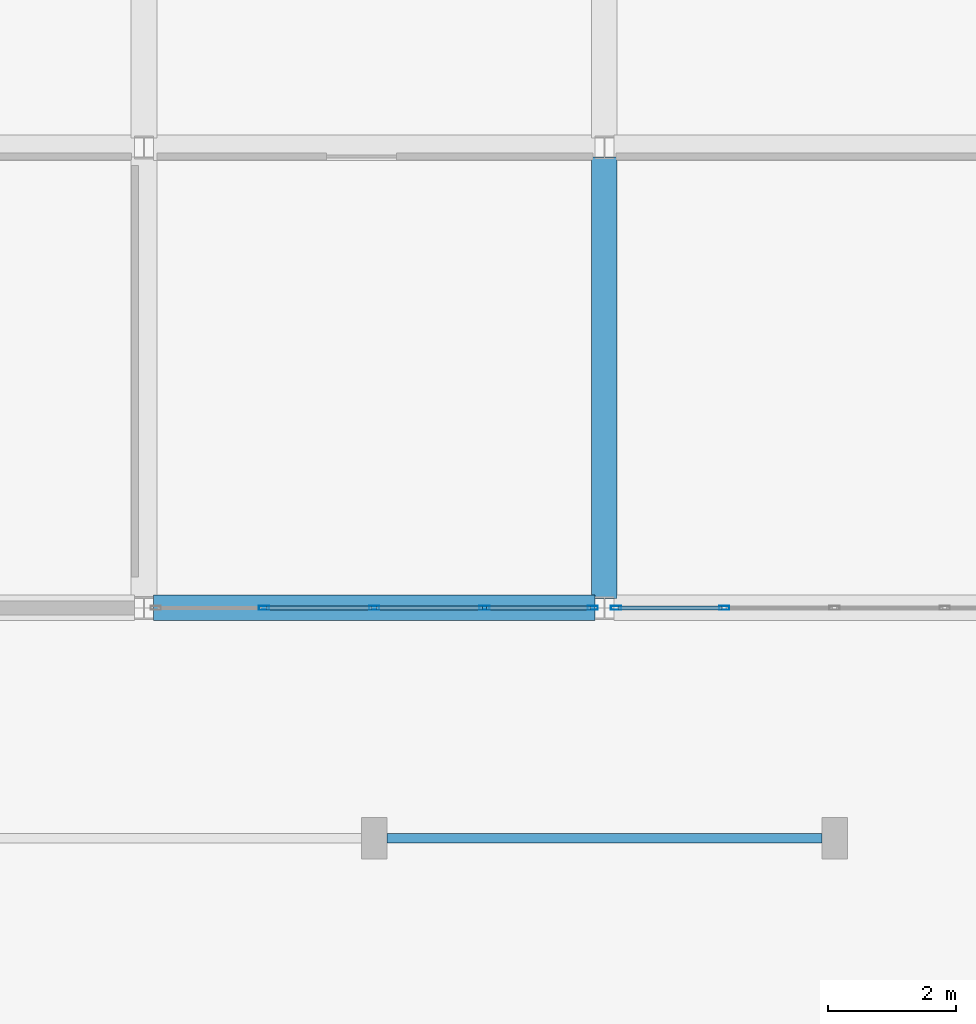
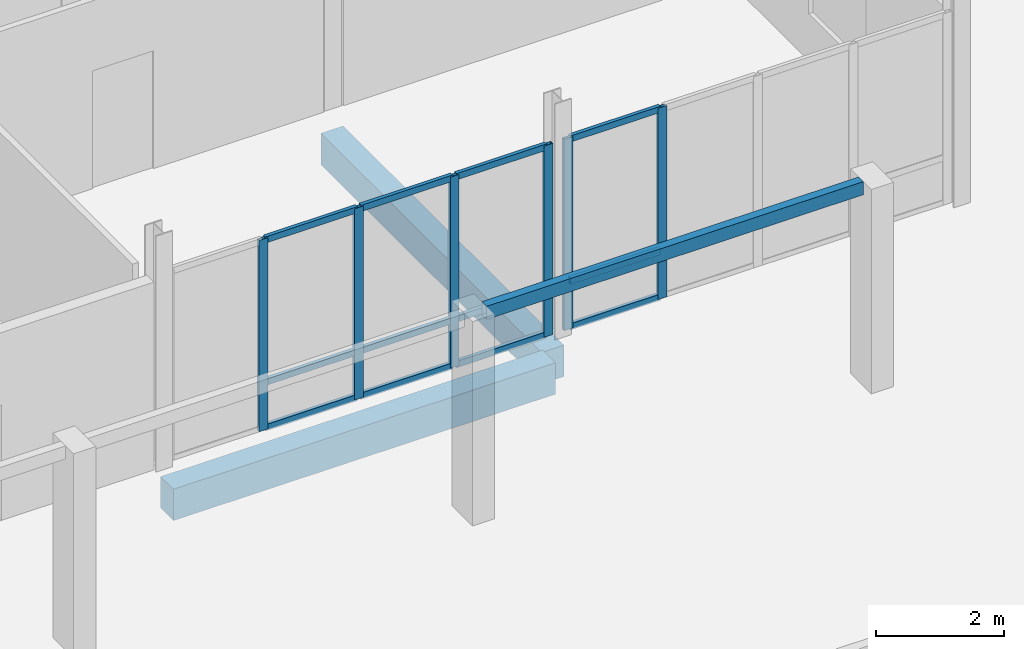
# One storey, part 82 of 139: 18 members, 3 beams, 2 elements without a shape of their own.
"""IFC4 building model written with IfcOpenShell, lengths in metres."""

from ifc_helpers import new_model, si_unit, direction, frame, origin, origin_2d, place, context, subcontext, project, spatial, rectangle, hollow_rectangle, extrude, material, material_profile, profile_set, type_object, element, aggregate, save


model = new_model("IFC4")

# Units and contexts
model_context = context("Model", 3, precision=1e-05, world=origin(), true_north=direction((0.0, 1.0)))
body_context = subcontext(model_context, "Body", "Model", "MODEL_VIEW")
ifc_project = project(units=[si_unit("LENGTHUNIT", "METRE"), si_unit("AREAUNIT", "SQUARE_METRE"), si_unit("VOLUMEUNIT", "CUBIC_METRE"), si_unit("PLANEANGLEUNIT", "RADIAN"), si_unit("MASSUNIT", "GRAM", prefix="KILO")], contexts=[model_context])

# Site, building, storey
site_placement = place(None, origin())
site = spatial("IfcSite", under=ifc_project, at=site_placement, CompositionType="ELEMENT")
building_placement = place(site_placement, origin())
building = spatial("IfcBuilding", under=site, at=building_placement, Name="Suanplinth Sawtooth Commons", CompositionType="ELEMENT")
storey_placement = place(building_placement, origin())
storey = spatial("IfcBuildingStorey", under=building, at=storey_placement, Name="L00", CompositionType="ELEMENT", Elevation=0.0)

# Beams
ifc_material_1 = material(Name="Precast concrete C40/50", Category="concrete")
ifc_material_profile_1 = material_profile(ifc_material_1, rectangle(XDim=0.39990234375, YDim=0.60009765625, at=origin_2d()), Name="PC-GDR 400x600")
ifc_profile_set_1 = profile_set([ifc_material_profile_1], Name="Precast concrete C40/50")
beam_type_1 = type_object("IfcBeamType", Name="B-05", PredefinedType="USERDEFINED", material=ifc_profile_set_1)
for number, where, z_axis, x_axis, name in (
    (1, (158.550048828125, 50.39990234375, -0.719970703125), (1.0, 0.0, 0.0), (0.0, 1.0, 0.0), "BMX-L00-NURS-22-7"),
    (2, (165.60009765625, 50.550048828125, -0.719970703125), (0.0, 1.0, 0.0), (-1.0, 0.0, 0.0), "BMY-L00-NURS-23-7"),
):
    element("IfcBeam", number, at=place(storey_placement, frame(where, z_axis=z_axis, x_axis=x_axis)), inside=storey, type_object=beam_type_1, Name=name, ObjectType="GIRDER", PredefinedType="USERDEFINED", context=body_context, shape_type="SweptSolid", body=[
        extrude(rectangle(XDim=0.39990234375, YDim=0.60009765625, at=origin_2d()), origin(), (0.0, 0.0, 1.0), 6.89990234375),
    ])
ifc_material_2 = material(Name="Steel S355JR", Category="steel")
ifc_material_profile_2 = material_profile(ifc_material_2, hollow_rectangle(XDim=0.14990234375, YDim=0.25, WallThickness=0.010009765625, at=origin_2d()), Name="RHS 250x150x10")
ifc_profile_set_2 = profile_set([ifc_material_profile_2], Name="Steel S355JR")
beam_type_2 = type_object("IfcBeamType", Name="B-18", PredefinedType="BEAM", material=ifc_profile_set_2)
beam_placement = place(storey_placement, frame((162.199951171875, 46.800048828125, 3.77490234375), z_axis=(1.0, 0.0, 0.0), x_axis=(0.0, 1.0, 0.0)))
element("IfcBeam", 3, at=beam_placement, inside=storey, type_object=beam_type_2, Name="Nursery Veranda Edge Beam 5", PredefinedType="BEAM", context=body_context, shape_type="SweptSolid", body=[
    extrude(hollow_rectangle(XDim=0.14990234375, YDim=0.25, WallThickness=0.010009765625, at=origin_2d()), origin(), (0.0, 0.0, 1.0), 6.800048828125),
])

# Curtain wall, members
ifc_material_3 = material(Name="Anodized aluminium and low-E glazing", Category="aluminium")
curtain_wall_type = type_object("IfcCurtainWallType", Name="CW-02", PredefinedType="USERDEFINED", material=ifc_material_3)
curtain_wall_1_placement = place(storey_placement, origin())
curtain_wall_1 = element("IfcCurtainWall", 4, at=curtain_wall_1_placement, inside=storey, type_object=curtain_wall_type, Name="Curtain Wall CW-L00-NURS-S-22", ObjectType="CURTAIN WALL", PredefinedType="USERDEFINED")
ifc_material_4 = material(Name="Anodized aluminium 6063-T6", Category="aluminium")
ifc_material_profile_3 = material_profile(ifc_material_4, hollow_rectangle(XDim=0.06494140625, YDim=0.159912109375, WallThickness=0.00390625, at=origin_2d()), Name="ALU-MUL 65x160")
ifc_profile_set_3 = profile_set([ifc_material_profile_3], Name="Anodized aluminium 6063-T6")
member_type_1 = type_object("IfcMemberType", Name="M-13", PredefinedType="MULLION", material=ifc_profile_set_3)
member_1_placement = place(storey_placement, frame((160.27490234375, 50.39990234375, 0.0), z_axis=(0.0, 0.0, 1.0), x_axis=(0.0, 1.0, 0.0)))
member_1 = element("IfcMember", 5, at=member_1_placement, type_object=member_type_1, Name="CW-02 mullion 2", PredefinedType="MULLION", context=body_context, shape_type="SweptSolid", body=[
    extrude(hollow_rectangle(XDim=0.06494140625, YDim=0.159912109375, WallThickness=0.00390625, at=origin_2d()), origin(), (0.0, 0.0, 1.0), 3.64990234375),
])
member_2_placement = place(storey_placement, frame((162.0, 50.39990234375, 0.0), z_axis=(0.0, 0.0, 1.0), x_axis=(0.0, 1.0, 0.0)))
member_2 = element("IfcMember", 6, at=member_2_placement, type_object=member_type_1, Name="CW-02 mullion 3", PredefinedType="MULLION", context=body_context, shape_type="SweptSolid", body=[
    extrude(hollow_rectangle(XDim=0.06494140625, YDim=0.159912109375, WallThickness=0.00390625, at=origin_2d()), origin(), (0.0, 0.0, 1.0), 3.64990234375),
])
member_3_placement = place(storey_placement, frame((163.72509765625, 50.39990234375, 0.0), z_axis=(0.0, 0.0, 1.0), x_axis=(0.0, 1.0, 0.0)))
member_3 = element("IfcMember", 7, at=member_3_placement, type_object=member_type_1, Name="CW-02 mullion 4", PredefinedType="MULLION", context=body_context, shape_type="SweptSolid", body=[
    extrude(hollow_rectangle(XDim=0.06494140625, YDim=0.159912109375, WallThickness=0.00390625, at=origin_2d()), origin(), (0.0, 0.0, 1.0), 3.64990234375),
])
member_4_placement = place(storey_placement, frame((165.41748046875, 50.39990234375, 0.0), z_axis=(0.0, 0.0, 1.0), x_axis=(0.0, 1.0, 0.0)))
member_4 = element("IfcMember", 8, at=member_4_placement, type_object=member_type_1, Name="CW-02 mullion 5", PredefinedType="MULLION", context=body_context, shape_type="SweptSolid", body=[
    extrude(hollow_rectangle(XDim=0.06494140625, YDim=0.159912109375, WallThickness=0.00390625, at=origin_2d()), origin(), (0.0, 0.0, 1.0), 3.64990234375),
])

curtain_wall_2_placement = place(storey_placement, origin())
curtain_wall_2 = element("IfcCurtainWall", 9, at=curtain_wall_2_placement, inside=storey, type_object=curtain_wall_type, Name="Curtain Wall CW-L00-NURS-S-23", ObjectType="CURTAIN WALL", PredefinedType="USERDEFINED")
member_5_placement = place(storey_placement, frame((165.782470703125, 50.39990234375, 0.0), z_axis=(0.0, 0.0, 1.0), x_axis=(0.0, 1.0, 0.0)))
member_5 = element("IfcMember", 10, at=member_5_placement, type_object=member_type_1, Name="CW-02 mullion 1", PredefinedType="MULLION", context=body_context, shape_type="SweptSolid", body=[
    extrude(hollow_rectangle(XDim=0.06494140625, YDim=0.159912109375, WallThickness=0.00390625, at=origin_2d()), origin(), (0.0, 0.0, 1.0), 3.64990234375),
])
member_6_placement = place(storey_placement, frame((167.47509765625, 50.39990234375, 0.0), z_axis=(0.0, 0.0, 1.0), x_axis=(0.0, 1.0, 0.0)))
member_6 = element("IfcMember", 11, at=member_6_placement, type_object=member_type_1, Name="CW-02 mullion 2", PredefinedType="MULLION", context=body_context, shape_type="SweptSolid", body=[
    extrude(hollow_rectangle(XDim=0.06494140625, YDim=0.159912109375, WallThickness=0.00390625, at=origin_2d()), origin(), (0.0, 0.0, 1.0), 3.64990234375),
])

# Member
ifc_material_profile_4 = material_profile(ifc_material_4, hollow_rectangle(XDim=0.06494140625, YDim=0.1201171875, WallThickness=0.00390625, at=origin_2d()), Name="ALU-TRN 65x120")
ifc_profile_set_4 = profile_set([ifc_material_profile_4], Name="Anodized aluminium 6063-T6")
member_type_2 = type_object("IfcMemberType", Name="M-15", PredefinedType="USERDEFINED", material=ifc_profile_set_4)
member_7_placement = place(storey_placement, frame((160.3076171875, 50.39990234375, 0.032470703125), z_axis=(1.0, 0.0, 0.0), x_axis=(0.0, 1.0, 0.0)))
member_7 = element("IfcMember", 12, at=member_7_placement, type_object=member_type_2, Name="CW-02 transom 2.1", ObjectType="TRANSOM", PredefinedType="USERDEFINED", context=body_context, shape_type="SweptSolid", body=[
    extrude(hollow_rectangle(XDim=0.06494140625, YDim=0.1201171875, WallThickness=0.00390625, at=origin_2d()), origin(), (0.0, 0.0, 1.0), 1.659912109375),
])

member_8_placement = place(storey_placement, frame((160.3076171875, 50.39990234375, 0.89990234375), z_axis=(1.0, 0.0, 0.0), x_axis=(0.0, 1.0, 0.0)))
member_8 = element("IfcMember", 13, at=member_8_placement, type_object=member_type_2, Name="CW-02 transom 2.2", ObjectType="TRANSOM", PredefinedType="USERDEFINED", context=body_context, shape_type="SweptSolid", body=[
    extrude(hollow_rectangle(XDim=0.06494140625, YDim=0.1201171875, WallThickness=0.00390625, at=origin_2d()), origin(), (0.0, 0.0, 1.0), 1.659912109375),
])

member_9_placement = place(storey_placement, frame((160.3076171875, 50.39990234375, 3.617431640625), z_axis=(1.0, 0.0, 0.0), x_axis=(0.0, 1.0, 0.0)))
member_9 = element("IfcMember", 14, at=member_9_placement, type_object=member_type_2, Name="CW-02 transom 2.3", ObjectType="TRANSOM", PredefinedType="USERDEFINED", context=body_context, shape_type="SweptSolid", body=[
    extrude(hollow_rectangle(XDim=0.06494140625, YDim=0.1201171875, WallThickness=0.00390625, at=origin_2d()), origin(), (0.0, 0.0, 1.0), 1.659912109375),
])

member_10_placement = place(storey_placement, frame((162.032470703125, 50.39990234375, 0.032470703125), z_axis=(1.0, 0.0, 0.0), x_axis=(0.0, 1.0, 0.0)))
member_10 = element("IfcMember", 15, at=member_10_placement, type_object=member_type_2, Name="CW-02 transom 3.1", ObjectType="TRANSOM", PredefinedType="USERDEFINED", context=body_context, shape_type="SweptSolid", body=[
    extrude(hollow_rectangle(XDim=0.06494140625, YDim=0.1201171875, WallThickness=0.00390625, at=origin_2d()), origin(), (0.0, 0.0, 1.0), 1.659912109375),
])

member_11_placement = place(storey_placement, frame((162.032470703125, 50.39990234375, 0.89990234375), z_axis=(1.0, 0.0, 0.0), x_axis=(0.0, 1.0, 0.0)))
member_11 = element("IfcMember", 16, at=member_11_placement, type_object=member_type_2, Name="CW-02 transom 3.2", ObjectType="TRANSOM", PredefinedType="USERDEFINED", context=body_context, shape_type="SweptSolid", body=[
    extrude(hollow_rectangle(XDim=0.06494140625, YDim=0.1201171875, WallThickness=0.00390625, at=origin_2d()), origin(), (0.0, 0.0, 1.0), 1.659912109375),
])

member_12_placement = place(storey_placement, frame((162.032470703125, 50.39990234375, 3.617431640625), z_axis=(1.0, 0.0, 0.0), x_axis=(0.0, 1.0, 0.0)))
member_12 = element("IfcMember", 17, at=member_12_placement, type_object=member_type_2, Name="CW-02 transom 3.3", ObjectType="TRANSOM", PredefinedType="USERDEFINED", context=body_context, shape_type="SweptSolid", body=[
    extrude(hollow_rectangle(XDim=0.06494140625, YDim=0.1201171875, WallThickness=0.00390625, at=origin_2d()), origin(), (0.0, 0.0, 1.0), 1.659912109375),
])

member_13_placement = place(storey_placement, frame((163.757568359375, 50.39990234375, 0.032470703125), z_axis=(1.0, 0.0, 0.0), x_axis=(0.0, 1.0, 0.0)))
member_13 = element("IfcMember", 18, at=member_13_placement, type_object=member_type_2, Name="CW-02 transom 4.1", ObjectType="TRANSOM", PredefinedType="USERDEFINED", context=body_context, shape_type="SweptSolid", body=[
    extrude(hollow_rectangle(XDim=0.06494140625, YDim=0.1201171875, WallThickness=0.00390625, at=origin_2d()), origin(), (0.0, 0.0, 1.0), 1.62744140625),
])

member_14_placement = place(storey_placement, frame((163.757568359375, 50.39990234375, 0.89990234375), z_axis=(1.0, 0.0, 0.0), x_axis=(0.0, 1.0, 0.0)))
member_14 = element("IfcMember", 19, at=member_14_placement, type_object=member_type_2, Name="CW-02 transom 4.2", ObjectType="TRANSOM", PredefinedType="USERDEFINED", context=body_context, shape_type="SweptSolid", body=[
    extrude(hollow_rectangle(XDim=0.06494140625, YDim=0.1201171875, WallThickness=0.00390625, at=origin_2d()), origin(), (0.0, 0.0, 1.0), 1.62744140625),
])

member_15_placement = place(storey_placement, frame((163.757568359375, 50.39990234375, 3.617431640625), z_axis=(1.0, 0.0, 0.0), x_axis=(0.0, 1.0, 0.0)))
member_15 = element("IfcMember", 20, at=member_15_placement, type_object=member_type_2, Name="CW-02 transom 4.3", ObjectType="TRANSOM", PredefinedType="USERDEFINED", context=body_context, shape_type="SweptSolid", body=[
    extrude(hollow_rectangle(XDim=0.06494140625, YDim=0.1201171875, WallThickness=0.00390625, at=origin_2d()), origin(), (0.0, 0.0, 1.0), 1.62744140625),
])

aggregate(curtain_wall_1, [member_1, member_2, member_3, member_4, member_7, member_8, member_9, member_10, member_11, member_12, member_13, member_14, member_15])

member_16_placement = place(storey_placement, frame((165.81494140625, 50.39990234375, 0.032470703125), z_axis=(1.0, 0.0, 0.0), x_axis=(0.0, 1.0, 0.0)))
member_16 = element("IfcMember", 21, at=member_16_placement, type_object=member_type_2, Name="CW-02 transom 1.1", ObjectType="TRANSOM", PredefinedType="USERDEFINED", context=body_context, shape_type="SweptSolid", body=[
    extrude(hollow_rectangle(XDim=0.06494140625, YDim=0.1201171875, WallThickness=0.00390625, at=origin_2d()), origin(), (0.0, 0.0, 1.0), 1.62744140625),
])

member_17_placement = place(storey_placement, frame((165.81494140625, 50.39990234375, 0.89990234375), z_axis=(1.0, 0.0, 0.0), x_axis=(0.0, 1.0, 0.0)))
member_17 = element("IfcMember", 22, at=member_17_placement, type_object=member_type_2, Name="CW-02 transom 1.2", ObjectType="TRANSOM", PredefinedType="USERDEFINED", context=body_context, shape_type="SweptSolid", body=[
    extrude(hollow_rectangle(XDim=0.06494140625, YDim=0.1201171875, WallThickness=0.00390625, at=origin_2d()), origin(), (0.0, 0.0, 1.0), 1.62744140625),
])

member_18_placement = place(storey_placement, frame((165.81494140625, 50.39990234375, 3.617431640625), z_axis=(1.0, 0.0, 0.0), x_axis=(0.0, 1.0, 0.0)))
member_18 = element("IfcMember", 23, at=member_18_placement, type_object=member_type_2, Name="CW-02 transom 1.3", ObjectType="TRANSOM", PredefinedType="USERDEFINED", context=body_context, shape_type="SweptSolid", body=[
    extrude(hollow_rectangle(XDim=0.06494140625, YDim=0.1201171875, WallThickness=0.00390625, at=origin_2d()), origin(), (0.0, 0.0, 1.0), 1.62744140625),
])

aggregate(curtain_wall_2, [member_5, member_6, member_16, member_17, member_18])

save(model, "model.ifc")
